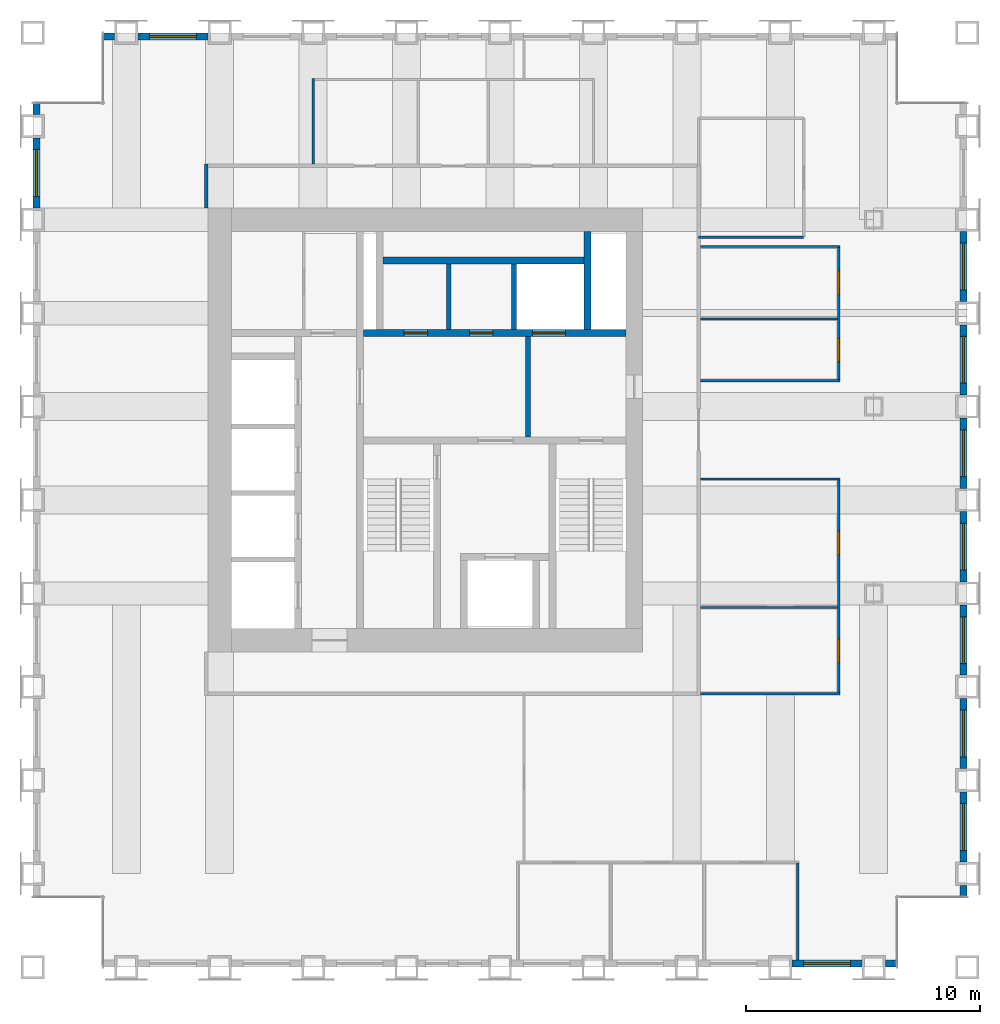
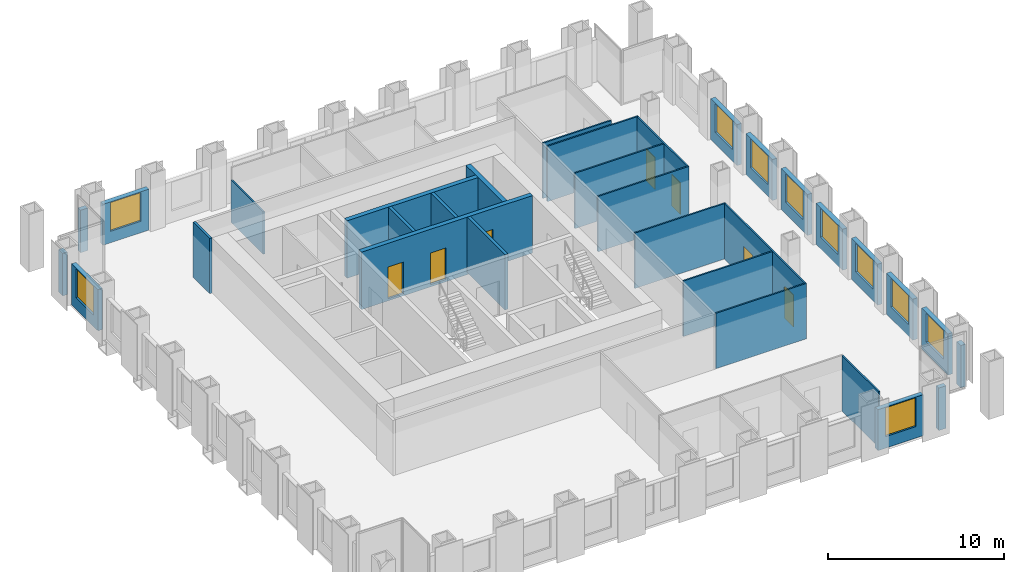
# One storey, part 9 of 11: 32 walls, 10 windows, 7 doors, 17 openings.
"""IFC4 building model written with IfcOpenShell, lengths in metres."""

from ifc_helpers import new_model, si_unit, direction, frame, frame_2d, origin, place, context, subcontext, project, spatial, rectangle, extrude, material, layer, layer_set, type_object, element, fill, save


model = new_model("IFC4")

# Units and contexts
model_context = context("Model", 3, precision=1e-05, world=origin(), true_north=direction((0.0, 1.0)))
body_context = subcontext(model_context, "Body", "Model", "MODEL_VIEW")
ifc_project = project(units=[si_unit("LENGTHUNIT", "METRE"), si_unit("AREAUNIT", "SQUARE_METRE"), si_unit("VOLUMEUNIT", "CUBIC_METRE"), si_unit("PLANEANGLEUNIT", "RADIAN"), si_unit("MASSUNIT", "GRAM", prefix="KILO")], contexts=[model_context])

# Site, building, storey
site_placement = place(None, origin())
site = spatial("IfcSite", under=ifc_project, at=site_placement, CompositionType="ELEMENT")
building_placement = place(site_placement, origin())
building = spatial("IfcBuilding", under=site, at=building_placement, Name="Rimbunsela Tower", CompositionType="ELEMENT")
storey_placement = place(building_placement, frame((0.0, 0.0, 242.199951171875)))
storey = spatial("IfcBuildingStorey", under=building, at=storey_placement, Name="L58", CompositionType="ELEMENT", Elevation=242.199951171875)

# Wall, openings, doors
ifc_material_1 = material(Name="Concrete fc' 80 MPa", Category="concrete")
ifc_layer_1 = layer(ifc_material_1, 0.300048828125)
ifc_layer_set_1 = layer_set([ifc_layer_1], Name="Core internal wall 300")
wall_type_1 = type_object("IfcWallType", Name="Core internal wall 300", PredefinedType="SHEAR", material=ifc_layer_set_1)
wall_1_placement = place(storey_placement, frame((24.14990234375, 31.14990234375, -0.14990234375), z_axis=(0.0, 0.0, 1.0), x_axis=(1.0, 0.0, 0.0)))
wall_1 = element("IfcWall", 1, at=wall_1_placement, inside=storey, type_object=wall_type_1, Name="Lift shaft front north", PredefinedType="SHEAR", context=body_context, shape_type="SweptSolid", body=[
    extrude(rectangle(XDim=11.25, YDim=0.300048828125, at=frame_2d((5.625, 0.0))), origin(), (0.0, 0.0, 1.0), 4.0),
])
opening_1_placement = place(wall_1_placement, frame((1.75, 0.0, 0.14990234375)))
opening_1 = element("IfcOpeningElement", 2, at=opening_1_placement, cuts=wall_1, Name="Opening D19", PredefinedType="OPENING", context=body_context, shape_type="SweptSolid", body=[
    extrude(rectangle(XDim=1.0, YDim=2.199951171875, at=frame_2d((0.5, 1.10009765625))), frame((0.0, 0.159912109375, 0.0), z_axis=(0.0, -1.0, 0.0), x_axis=(1.0, 0.0, 0.0)), (0.0, 0.0, 1.0), 0.320068359375),
])
opening_2_placement = place(wall_1_placement, frame((4.550048828125, 0.0, 0.14990234375)))
opening_2 = element("IfcOpeningElement", 3, at=opening_2_placement, cuts=wall_1, Name="Opening D19", PredefinedType="OPENING", context=body_context, shape_type="SweptSolid", body=[
    extrude(rectangle(XDim=1.0, YDim=2.199951171875, at=frame_2d((0.5, 1.10009765625))), frame((0.0, 0.159912109375, 0.0), z_axis=(0.0, -1.0, 0.0), x_axis=(1.0, 0.0, 0.0)), (0.0, 0.0, 1.0), 0.320068359375),
])
opening_3_placement = place(wall_1_placement, frame((7.25, 0.0, 0.14990234375)))
opening_3 = element("IfcOpeningElement", 4, at=opening_3_placement, cuts=wall_1, Name="Opening LD3", PredefinedType="OPENING", context=body_context, shape_type="SweptSolid", body=[
    extrude(rectangle(XDim=1.39990234375, YDim=2.39990234375, at=frame_2d((0.699951171875, 1.199951171875))), frame((0.0, 0.159912109375, 0.0), z_axis=(0.0, -1.0, 0.0), x_axis=(1.0, 0.0, 0.0)), (0.0, 0.0, 1.0), 0.320068359375),
])
ifc_material_2 = material(Name="Steel door, fire rated", Category="steel")
door_type_1 = type_object("IfcDoorType", Name="Lift landing door 1400", OperationType="DOUBLE_DOOR_SLIDING", PredefinedType="DOOR", material=ifc_material_2)
door_1_placement = place(opening_3_placement, origin())
door_1 = element("IfcDoor", 5, at=door_1_placement, inside=storey, type_object=door_type_1, Name="Lift landing door FL2", OperationType="DOUBLE_DOOR_SLIDING", OverallHeight=2.39990234375, OverallWidth=1.39990234375, PredefinedType="DOOR", context=body_context, shape_type="SweptSolid", body=[
    extrude(rectangle(XDim=1.39990234375, YDim=2.39990234375, at=frame_2d((0.699951171875, 1.199951171875))), frame((0.0, 0.02490234375, 0.0), z_axis=(0.0, -1.0, 0.0), x_axis=(1.0, 0.0, 0.0)), (0.0, 0.0, 1.0), 0.050048828125),
])
fill(opening_3, door_1)
ifc_material_3 = material(Name="Steel door, fire rated", Category="steel")
door_type_2 = type_object("IfcDoorType", Name="Service door 1000 fire rated", OperationType="SINGLE_SWING_LEFT", PredefinedType="DOOR", material=ifc_material_3)
door_2_placement = place(opening_1_placement, origin())
door_2 = element("IfcDoor", 6, at=door_2_placement, inside=storey, type_object=door_type_2, Name="Staff WC door", OperationType="SINGLE_SWING_LEFT", OverallHeight=2.199951171875, OverallWidth=1.0, PredefinedType="DOOR", context=body_context, shape_type="SweptSolid", body=[
    extrude(rectangle(XDim=1.0, YDim=2.199951171875, at=frame_2d((0.5, 1.10009765625))), frame((0.0, 0.02490234375, 0.0), z_axis=(0.0, -1.0, 0.0), x_axis=(1.0, 0.0, 0.0)), (0.0, 0.0, 1.0), 0.050048828125),
])
fill(opening_1, door_2)
door_3_placement = place(opening_2_placement, origin())
door_3 = element("IfcDoor", 7, at=door_3_placement, inside=storey, type_object=door_type_2, Name="Cleaners store door", OperationType="SINGLE_SWING_LEFT", OverallHeight=2.199951171875, OverallWidth=1.0, PredefinedType="DOOR", context=body_context, shape_type="SweptSolid", body=[
    extrude(rectangle(XDim=1.0, YDim=2.199951171875, at=frame_2d((0.5, 1.10009765625))), frame((0.0, 0.02490234375, 0.0), z_axis=(0.0, -1.0, 0.0), x_axis=(1.0, 0.0, 0.0)), (0.0, 0.0, 1.0), 0.050048828125),
])
fill(opening_2, door_3)

# Walls
wall_2_placement = place(storey_placement, frame((33.75, 31.300048828125, -0.14990234375), z_axis=(0.0, 0.0, 1.0), x_axis=(0.0, 1.0, 0.0)))
element("IfcWall", 8, at=wall_2_placement, inside=storey, type_object=wall_type_1, Name="Riser wall", PredefinedType="SHEAR", context=body_context, shape_type="SweptSolid", body=[
    extrude(rectangle(XDim=4.199951171875, YDim=0.300048828125, at=frame_2d((2.10009765625, 0.0))), origin(), (0.0, 0.0, 1.0), 4.0),
])
wall_3_placement = place(storey_placement, frame((25.0, 34.25, -0.14990234375), z_axis=(0.0, 0.0, 1.0), x_axis=(1.0, 0.0, 0.0)))
element("IfcWall", 9, at=wall_3_placement, inside=storey, type_object=wall_type_1, Name="Lift shaft rear north", PredefinedType="SHEAR", context=body_context, shape_type="SweptSolid", body=[
    extrude(rectangle(XDim=8.60009765625, YDim=0.300048828125, at=frame_2d((4.300048828125, 0.0))), origin(), (0.0, 0.0, 1.0), 4.0),
])
ifc_material_4 = material(Name="Concrete blockwork", Category="masonry")
ifc_layer_2 = layer(ifc_material_4, 0.199951171875)
ifc_layer_set_2 = layer_set([ifc_layer_2], Name="Lift shaft wall 200")
wall_type_2 = type_object("IfcWallType", Name="Lift shaft wall 200", PredefinedType="SOLIDWALL", material=ifc_layer_set_2)
wall_4_placement = place(storey_placement, frame((27.800048828125, 31.300048828125, 0.0), z_axis=(0.0, 0.0, 1.0), x_axis=(0.0, 1.0, 0.0)))
element("IfcWall", 10, at=wall_4_placement, inside=storey, type_object=wall_type_2, Name="Lift shaft separation", PredefinedType="SOLIDWALL", context=body_context, shape_type="SweptSolid", body=[
    extrude(rectangle(XDim=2.800048828125, YDim=0.199951171875, at=frame_2d((1.39990234375, 0.0))), origin(), (0.0, 0.0, 1.0), 3.85009765625),
])
wall_5_placement = place(storey_placement, frame((30.60009765625, 31.300048828125, -0.14990234375), z_axis=(0.0, 0.0, 1.0), x_axis=(0.0, 1.0, 0.0)))
element("IfcWall", 11, at=wall_5_placement, inside=storey, type_object=wall_type_2, Name="Lift shaft separation", PredefinedType="SOLIDWALL", context=body_context, shape_type="SweptSolid", body=[
    extrude(rectangle(XDim=2.800048828125, YDim=0.199951171875, at=frame_2d((1.39990234375, 0.0))), origin(), (0.0, 0.0, 1.0), 4.0),
])
wall_6_placement = place(storey_placement, frame((31.199951171875, 26.699951171875, 0.0), z_axis=(0.0, 0.0, 1.0), x_axis=(0.0, 1.0, 0.0)))
element("IfcWall", 12, at=wall_6_placement, inside=storey, type_object=wall_type_2, Name="Firefighting lobby 2 wall", PredefinedType="SOLIDWALL", context=body_context, shape_type="SweptSolid", body=[
    extrude(rectangle(XDim=4.300048828125, YDim=0.199951171875, at=frame_2d((2.14990234375, 0.0))), origin(), (0.0, 0.0, 1.0), 3.85009765625),
])
ifc_material_5 = material(Name="Gypsum board on steel studs", Category="steel")
ifc_layer_3 = layer(ifc_material_5, 0.10009765625)
ifc_layer_set_3 = layer_set([ifc_layer_3], Name="Office partition 100")
wall_type_3 = type_object("IfcWallType", Name="Office partition 100", PredefinedType="PARTITIONING", material=ifc_layer_set_3)
wall_7_placement = place(storey_placement, frame((38.574951171875, 15.699951171875, 0.0), z_axis=(0.0, 0.0, 1.0), x_axis=(1.0, 0.0, 0.0)))
element("IfcWall", 13, at=wall_7_placement, inside=storey, type_object=wall_type_3, Name="Office partition", PredefinedType="PARTITIONING", context=body_context, shape_type="SweptSolid", body=[
    extrude(rectangle(XDim=5.97509765625, YDim=0.10009765625, at=frame_2d((2.987548828125, 0.0))), origin(), (0.0, 0.0, 1.0), 3.85009765625),
])
wall_8_placement = place(storey_placement, frame((38.574951171875, 19.39990234375, 0.0), z_axis=(0.0, 0.0, 1.0), x_axis=(1.0, 0.0, 0.0)))
element("IfcWall", 14, at=wall_8_placement, inside=storey, type_object=wall_type_3, Name="Office partition", PredefinedType="PARTITIONING", context=body_context, shape_type="SweptSolid", body=[
    extrude(rectangle(XDim=5.875, YDim=0.10009765625, at=frame_2d((2.9375, 0.0))), origin(), (0.0, 0.0, 1.0), 3.85009765625),
])
for number, where, z_axis, x_axis, name in (
    (15, (38.574951171875, 24.89990234375, 0.0), (0.0, 0.0, 1.0), (1.0, 0.0, 0.0), "Office partition"),
    (16, (38.574951171875, 29.10009765625, 0.0), (0.0, 0.0, 1.0), (1.0, 0.0, 0.0), "Office partition"),
):
    element("IfcWall", number, at=place(storey_placement, frame(where, z_axis=z_axis, x_axis=x_axis)), inside=storey, type_object=wall_type_3, Name=name, PredefinedType="PARTITIONING", context=body_context, shape_type="SweptSolid", body=[
        extrude(rectangle(XDim=5.97509765625, YDim=0.10009765625, at=frame_2d((2.987548828125, 0.0))), origin(), (0.0, 0.0, 1.0), 3.85009765625),
    ])
wall_9_placement = place(storey_placement, frame((38.574951171875, 31.75, 0.0), z_axis=(0.0, 0.0, 1.0), x_axis=(1.0, 0.0, 0.0)))
element("IfcWall", 17, at=wall_9_placement, inside=storey, type_object=wall_type_3, Name="Office partition", PredefinedType="PARTITIONING", context=body_context, shape_type="SweptSolid", body=[
    extrude(rectangle(XDim=5.875, YDim=0.10009765625, at=frame_2d((2.9375, 0.0))), origin(), (0.0, 0.0, 1.0), 3.85009765625),
])
wall_10_placement = place(storey_placement, frame((38.574951171875, 34.85009765625, 0.0), z_axis=(0.0, 0.0, 1.0), x_axis=(1.0, 0.0, 0.0)))
element("IfcWall", 18, at=wall_10_placement, inside=storey, type_object=wall_type_3, Name="Office partition", PredefinedType="PARTITIONING", context=body_context, shape_type="SweptSolid", body=[
    extrude(rectangle(XDim=5.97509765625, YDim=0.10009765625, at=frame_2d((2.987548828125, 0.0))), origin(), (0.0, 0.0, 1.0), 3.85009765625),
])
wall_11_placement = place(storey_placement, frame((42.75, 4.300048828125, 0.0), z_axis=(0.0, 0.0, 1.0), x_axis=(0.0, 1.0, 0.0)))
element("IfcWall", 19, at=wall_11_placement, inside=storey, type_object=wall_type_3, Name="Office partition", PredefinedType="PARTITIONING", context=body_context, shape_type="SweptSolid", body=[
    extrude(rectangle(XDim=4.14990234375, YDim=0.10009765625, at=frame_2d((2.074951171875, 0.0))), origin(), (0.0, 0.0, 1.0), 3.85009765625),
])

# Wall, openings, doors
wall_12_placement = place(storey_placement, frame((44.5, 15.75, 0.0), z_axis=(0.0, 0.0, 1.0), x_axis=(0.0, 1.0, 0.0)))
wall_12 = element("IfcWall", 20, at=wall_12_placement, inside=storey, type_object=wall_type_3, Name="Office partition", PredefinedType="PARTITIONING", context=body_context, shape_type="SweptSolid", body=[
    extrude(rectangle(XDim=9.10009765625, YDim=0.10009765625, at=frame_2d((4.550048828125, 0.0))), origin(), (0.0, 0.0, 1.0), 3.85009765625),
])
opening_4_placement = place(wall_12_placement, frame((1.300048828125, 0.0, 0.0)))
opening_4 = element("IfcOpeningElement", 21, at=opening_4_placement, cuts=wall_12, Name="Opening D17", PredefinedType="OPENING", context=body_context, shape_type="SweptSolid", body=[
    extrude(rectangle(XDim=1.0, YDim=2.199951171875, at=frame_2d((0.5, 1.10009765625))), frame((0.0, 0.06005859375, 0.0), z_axis=(0.0, -1.0, 0.0), x_axis=(1.0, 0.0, 0.0)), (0.0, 0.0, 1.0), 0.1201171875),
])
opening_5_placement = place(wall_12_placement, frame((5.89990234375, 0.0, 0.0)))
opening_5 = element("IfcOpeningElement", 22, at=opening_5_placement, cuts=wall_12, Name="Opening D16", PredefinedType="OPENING", context=body_context, shape_type="SweptSolid", body=[
    extrude(rectangle(XDim=1.0, YDim=2.199951171875, at=frame_2d((0.5, 1.10009765625))), frame((0.0, 0.06005859375, 0.0), z_axis=(0.0, -1.0, 0.0), x_axis=(1.0, 0.0, 0.0)), (0.0, 0.0, 1.0), 0.1201171875),
])
ifc_material_6 = material(Name="Glazed aluminium door", Category="aluminium")
door_type_3 = type_object("IfcDoorType", Name="Meeting room door 1000 glazed", OperationType="SINGLE_SWING_RIGHT", PredefinedType="DOOR", material=ifc_material_6)
door_4_placement = place(opening_4_placement, origin())
door_4 = element("IfcDoor", 23, at=door_4_placement, inside=storey, type_object=door_type_3, Name="Meeting room door", OperationType="SINGLE_SWING_RIGHT", OverallHeight=2.199951171875, OverallWidth=1.0, PredefinedType="DOOR", context=body_context, shape_type="SweptSolid", body=[
    extrude(rectangle(XDim=1.0, YDim=2.199951171875, at=frame_2d((0.5, 1.10009765625))), frame((0.0, 0.02490234375, 0.0), z_axis=(0.0, -1.0, 0.0), x_axis=(1.0, 0.0, 0.0)), (0.0, 0.0, 1.0), 0.050048828125),
])
fill(opening_4, door_4)
ifc_material_7 = material(Name="Timber door", Category="wood")
door_type_4 = type_object("IfcDoorType", Name="Office door 1000", OperationType="SINGLE_SWING_LEFT", PredefinedType="DOOR", material=ifc_material_7)
door_5_placement = place(opening_5_placement, origin())
door_5 = element("IfcDoor", 24, at=door_5_placement, inside=storey, type_object=door_type_4, Name="Office door", OperationType="SINGLE_SWING_LEFT", OverallHeight=2.199951171875, OverallWidth=1.0, PredefinedType="DOOR", context=body_context, shape_type="SweptSolid", body=[
    extrude(rectangle(XDim=1.0, YDim=2.199951171875, at=frame_2d((0.5, 1.10009765625))), frame((0.0, 0.02490234375, 0.0), z_axis=(0.0, -1.0, 0.0), x_axis=(1.0, 0.0, 0.0)), (0.0, 0.0, 1.0), 0.050048828125),
])
fill(opening_5, door_5)

wall_13_placement = place(storey_placement, frame((44.5, 29.14990234375, 0.0), z_axis=(0.0, 0.0, 1.0), x_axis=(0.0, 1.0, 0.0)))
wall_13 = element("IfcWall", 25, at=wall_13_placement, inside=storey, type_object=wall_type_3, Name="Office partition", PredefinedType="PARTITIONING", context=body_context, shape_type="SweptSolid", body=[
    extrude(rectangle(XDim=5.650146484375, YDim=0.10009765625, at=frame_2d((2.8251953125, 0.0))), origin(), (0.0, 0.0, 1.0), 3.85009765625),
])
opening_6_placement = place(wall_13_placement, frame((0.77490234375, 0.0, 0.0)))
opening_6 = element("IfcOpeningElement", 26, at=opening_6_placement, cuts=wall_13, Name="Opening D16", PredefinedType="OPENING", context=body_context, shape_type="SweptSolid", body=[
    extrude(rectangle(XDim=1.0, YDim=2.199951171875, at=frame_2d((0.5, 1.10009765625))), frame((0.0, 0.06005859375, 0.0), z_axis=(0.0, -1.0, 0.0), x_axis=(1.0, 0.0, 0.0)), (0.0, 0.0, 1.0), 0.1201171875),
])
opening_7_placement = place(wall_13_placement, frame((3.64990234375, 0.0, 0.0)))
opening_7 = element("IfcOpeningElement", 27, at=opening_7_placement, cuts=wall_13, Name="Opening D16", PredefinedType="OPENING", context=body_context, shape_type="SweptSolid", body=[
    extrude(rectangle(XDim=1.0, YDim=2.199951171875, at=frame_2d((0.5, 1.10009765625))), frame((0.0, 0.06005859375, 0.0), z_axis=(0.0, -1.0, 0.0), x_axis=(1.0, 0.0, 0.0)), (0.0, 0.0, 1.0), 0.1201171875),
])
door_6_placement = place(opening_6_placement, origin())
door_6 = element("IfcDoor", 28, at=door_6_placement, inside=storey, type_object=door_type_4, Name="Office door", OperationType="SINGLE_SWING_LEFT", OverallHeight=2.199951171875, OverallWidth=1.0, PredefinedType="DOOR", context=body_context, shape_type="SweptSolid", body=[
    extrude(rectangle(XDim=1.0, YDim=2.199951171875, at=frame_2d((0.5, 1.10009765625))), frame((0.0, 0.02490234375, 0.0), z_axis=(0.0, -1.0, 0.0), x_axis=(1.0, 0.0, 0.0)), (0.0, 0.0, 1.0), 0.050048828125),
])
fill(opening_6, door_6)
door_7_placement = place(opening_7_placement, origin())
door_7 = element("IfcDoor", 29, at=door_7_placement, inside=storey, type_object=door_type_4, Name="Office door", OperationType="SINGLE_SWING_LEFT", OverallHeight=2.199951171875, OverallWidth=1.0, PredefinedType="DOOR", context=body_context, shape_type="SweptSolid", body=[
    extrude(rectangle(XDim=1.0, YDim=2.199951171875, at=frame_2d((0.5, 1.10009765625))), frame((0.0, 0.02490234375, 0.0), z_axis=(0.0, -1.0, 0.0), x_axis=(1.0, 0.0, 0.0)), (0.0, 0.0, 1.0), 0.050048828125),
])
fill(opening_7, door_7)

# Wall
wall_14_placement = place(storey_placement, frame((38.5, 35.25, 0.0), z_axis=(0.0, 0.0, 1.0), x_axis=(1.0, 0.0, 0.0)))
element("IfcWall", 30, at=wall_14_placement, inside=storey, type_object=wall_type_3, Name="Office partition", PredefinedType="PARTITIONING", context=body_context, shape_type="SweptSolid", body=[
    extrude(rectangle(XDim=4.5, YDim=0.10009765625, at=frame_2d((2.25, 0.0))), origin(), (0.0, 0.0, 1.0), 3.85009765625),
])

# Wall, opening, window
ifc_material_8 = material(Name="Precast concrete fc' 35 MPa", Category="concrete")
ifc_layer_4 = layer(ifc_material_8, 0.300048828125)
ifc_layer_set_4 = layer_set([ifc_layer_4], Name="Precast concrete fc' 35 MPa")
wall_type_4 = type_object("IfcWallType", Name="Precast facade panel 300", PredefinedType="ELEMENTEDWALL", material=ifc_layer_set_4)
wall_15_placement = place(storey_placement, frame((42.5, 4.14990234375, 0.0), z_axis=(0.0, 0.0, 1.0), x_axis=(1.0, 0.0, 0.0)))
wall_15 = element("IfcWall", 31, at=wall_15_placement, inside=storey, type_object=wall_type_4, Name="Facade panel S L58", PredefinedType="ELEMENTEDWALL", context=body_context, shape_type="SweptSolid", body=[
    extrude(rectangle(XDim=3.0, YDim=0.300048828125, at=frame_2d((1.5, 0.0))), origin(), (0.0, 0.0, 1.0), 2.85009765625),
])
opening_8_placement = place(wall_15_placement, frame((0.5, 0.0, 0.800048828125)))
opening_8 = element("IfcOpeningElement", 32, at=opening_8_placement, cuts=wall_15, Name="Opening W1", PredefinedType="OPENING", context=body_context, shape_type="SweptSolid", body=[
    extrude(rectangle(XDim=2.0, YDim=2.0, at=frame_2d((1.0, 1.0))), frame((0.0, 0.159912109375, 0.0), z_axis=(0.0, -1.0, 0.0), x_axis=(1.0, 0.0, 0.0)), (0.0, 0.0, 1.0), 0.320068359375),
])
ifc_material_9 = material(Name="Clear glass in aluminium frame", Category="aluminium")
window_type = type_object("IfcWindowType", Name="Window W1 2000x2000", PartitioningType="DOUBLE_PANEL_VERTICAL", PredefinedType="WINDOW", material=ifc_material_9)
window_1_placement = place(opening_8_placement, origin())
window_1 = element("IfcWindow", 33, at=window_1_placement, inside=storey, type_object=window_type, Name="Window L58", OverallHeight=2.0, OverallWidth=2.0, PartitioningType="SINGLE_PANEL", PredefinedType="WINDOW", context=body_context, shape_type="SweptSolid", body=[
    extrude(rectangle(XDim=2.0, YDim=2.0, at=frame_2d((1.0, 1.0))), frame((0.0, 0.030029296875, 0.0), z_axis=(0.0, -1.0, 0.0), x_axis=(1.0, 0.0, 0.0)), (0.0, 0.0, 1.0), 0.06005859375),
])
fill(opening_8, window_1)

# Walls
for number, where, z_axis, x_axis, name in (
    (34, (46.5, 4.14990234375, 0.0), (0.0, 0.0, 1.0), (1.0, 0.0, 0.0), "Facade panel S L58"),
    (35, (49.85009765625, 7.030029296875, 0.0), (0.0, 0.0, 1.0), (0.0, 1.0, 0.0), "Facade panel E L58"),
):
    element("IfcWall", number, at=place(storey_placement, frame(where, z_axis=z_axis, x_axis=x_axis)), inside=storey, type_object=wall_type_4, Name=name, PredefinedType="ELEMENTEDWALL", context=body_context, shape_type="SweptSolid", body=[
        extrude(rectangle(XDim=0.469970703125, YDim=0.300048828125, at=frame_2d((0.23486328125, 0.0))), origin(), (0.0, 0.0, 1.0), 2.949951171875),
    ])

# Wall, opening, window
wall_16_placement = place(storey_placement, frame((49.85009765625, 8.5, 0.0), z_axis=(0.0, 0.0, 1.0), x_axis=(0.0, 1.0, 0.0)))
wall_16 = element("IfcWall", 36, at=wall_16_placement, inside=storey, type_object=wall_type_4, Name="Facade panel E L58", PredefinedType="ELEMENTEDWALL", context=body_context, shape_type="SweptSolid", body=[
    extrude(rectangle(XDim=3.0, YDim=0.300048828125, at=frame_2d((1.5, 0.0))), origin(), (0.0, 0.0, 1.0), 2.85009765625),
])
opening_9_placement = place(wall_16_placement, frame((0.5, 0.0, 0.800048828125)))
opening_9 = element("IfcOpeningElement", 37, at=opening_9_placement, cuts=wall_16, Name="Opening W1", PredefinedType="OPENING", context=body_context, shape_type="SweptSolid", body=[
    extrude(rectangle(XDim=2.0, YDim=2.0, at=frame_2d((1.0, 1.0))), frame((0.0, 0.159912109375, 0.0), z_axis=(0.0, -1.0, 0.0), x_axis=(1.0, 0.0, 0.0)), (0.0, 0.0, 1.0), 0.320068359375),
])
window_2_placement = place(opening_9_placement, origin())
window_2 = element("IfcWindow", 38, at=window_2_placement, inside=storey, type_object=window_type, Name="Window L58", OverallHeight=2.0, OverallWidth=2.0, PartitioningType="SINGLE_PANEL", PredefinedType="WINDOW", context=body_context, shape_type="SweptSolid", body=[
    extrude(rectangle(XDim=2.0, YDim=2.0, at=frame_2d((1.0, 1.0))), frame((0.0, 0.030029296875, 0.0), z_axis=(0.0, -1.0, 0.0), x_axis=(1.0, 0.0, 0.0)), (0.0, 0.0, 1.0), 0.06005859375),
])
fill(opening_9, window_2)

wall_17_placement = place(storey_placement, frame((49.85009765625, 12.5, 0.0), z_axis=(0.0, 0.0, 1.0), x_axis=(0.0, 1.0, 0.0)))
wall_17 = element("IfcWall", 39, at=wall_17_placement, inside=storey, type_object=wall_type_4, Name="Facade panel E L58", PredefinedType="ELEMENTEDWALL", context=body_context, shape_type="SweptSolid", body=[
    extrude(rectangle(XDim=3.0, YDim=0.300048828125, at=frame_2d((1.5, 0.0))), origin(), (0.0, 0.0, 1.0), 2.85009765625),
])
opening_10_placement = place(wall_17_placement, frame((0.5, 0.0, 0.800048828125)))
opening_10 = element("IfcOpeningElement", 40, at=opening_10_placement, cuts=wall_17, Name="Opening W1", PredefinedType="OPENING", context=body_context, shape_type="SweptSolid", body=[
    extrude(rectangle(XDim=2.0, YDim=2.0, at=frame_2d((1.0, 1.0))), frame((0.0, 0.159912109375, 0.0), z_axis=(0.0, -1.0, 0.0), x_axis=(1.0, 0.0, 0.0)), (0.0, 0.0, 1.0), 0.320068359375),
])
window_3_placement = place(opening_10_placement, origin())
window_3 = element("IfcWindow", 41, at=window_3_placement, inside=storey, type_object=window_type, Name="Window L58", OverallHeight=2.0, OverallWidth=2.0, PartitioningType="SINGLE_PANEL", PredefinedType="WINDOW", context=body_context, shape_type="SweptSolid", body=[
    extrude(rectangle(XDim=2.0, YDim=2.0, at=frame_2d((1.0, 1.0))), frame((0.0, 0.030029296875, 0.0), z_axis=(0.0, -1.0, 0.0), x_axis=(1.0, 0.0, 0.0)), (0.0, 0.0, 1.0), 0.06005859375),
])
fill(opening_10, window_3)

wall_18_placement = place(storey_placement, frame((49.85009765625, 16.5, 0.0), z_axis=(0.0, 0.0, 1.0), x_axis=(0.0, 1.0, 0.0)))
wall_18 = element("IfcWall", 42, at=wall_18_placement, inside=storey, type_object=wall_type_4, Name="Facade panel E L58", PredefinedType="ELEMENTEDWALL", context=body_context, shape_type="SweptSolid", body=[
    extrude(rectangle(XDim=3.0, YDim=0.300048828125, at=frame_2d((1.5, 0.0))), origin(), (0.0, 0.0, 1.0), 2.85009765625),
])
opening_11_placement = place(wall_18_placement, frame((0.5, 0.0, 0.800048828125)))
opening_11 = element("IfcOpeningElement", 43, at=opening_11_placement, cuts=wall_18, Name="Opening W1", PredefinedType="OPENING", context=body_context, shape_type="SweptSolid", body=[
    extrude(rectangle(XDim=2.0, YDim=2.0, at=frame_2d((1.0, 1.0))), frame((0.0, 0.159912109375, 0.0), z_axis=(0.0, -1.0, 0.0), x_axis=(1.0, 0.0, 0.0)), (0.0, 0.0, 1.0), 0.320068359375),
])
window_4_placement = place(opening_11_placement, origin())
window_4 = element("IfcWindow", 44, at=window_4_placement, inside=storey, type_object=window_type, Name="Window L58", OverallHeight=2.0, OverallWidth=2.0, PartitioningType="SINGLE_PANEL", PredefinedType="WINDOW", context=body_context, shape_type="SweptSolid", body=[
    extrude(rectangle(XDim=2.0, YDim=2.0, at=frame_2d((1.0, 1.0))), frame((0.0, 0.030029296875, 0.0), z_axis=(0.0, -1.0, 0.0), x_axis=(1.0, 0.0, 0.0)), (0.0, 0.0, 1.0), 0.06005859375),
])
fill(opening_11, window_4)

wall_19_placement = place(storey_placement, frame((49.85009765625, 20.5, 0.0), z_axis=(0.0, 0.0, 1.0), x_axis=(0.0, 1.0, 0.0)))
wall_19 = element("IfcWall", 45, at=wall_19_placement, inside=storey, type_object=wall_type_4, Name="Facade panel E L58", PredefinedType="ELEMENTEDWALL", context=body_context, shape_type="SweptSolid", body=[
    extrude(rectangle(XDim=3.0, YDim=0.300048828125, at=frame_2d((1.5, 0.0))), origin(), (0.0, 0.0, 1.0), 2.85009765625),
])
opening_12_placement = place(wall_19_placement, frame((0.5, 0.0, 0.800048828125)))
opening_12 = element("IfcOpeningElement", 46, at=opening_12_placement, cuts=wall_19, Name="Opening W1", PredefinedType="OPENING", context=body_context, shape_type="SweptSolid", body=[
    extrude(rectangle(XDim=2.0, YDim=2.0, at=frame_2d((1.0, 1.0))), frame((0.0, 0.159912109375, 0.0), z_axis=(0.0, -1.0, 0.0), x_axis=(1.0, 0.0, 0.0)), (0.0, 0.0, 1.0), 0.320068359375),
])
window_5_placement = place(opening_12_placement, origin())
window_5 = element("IfcWindow", 47, at=window_5_placement, inside=storey, type_object=window_type, Name="Window L58", OverallHeight=2.0, OverallWidth=2.0, PartitioningType="SINGLE_PANEL", PredefinedType="WINDOW", context=body_context, shape_type="SweptSolid", body=[
    extrude(rectangle(XDim=2.0, YDim=2.0, at=frame_2d((1.0, 1.0))), frame((0.0, 0.030029296875, 0.0), z_axis=(0.0, -1.0, 0.0), x_axis=(1.0, 0.0, 0.0)), (0.0, 0.0, 1.0), 0.06005859375),
])
fill(opening_12, window_5)

wall_20_placement = place(storey_placement, frame((49.85009765625, 24.5, 0.0), z_axis=(0.0, 0.0, 1.0), x_axis=(0.0, 1.0, 0.0)))
wall_20 = element("IfcWall", 48, at=wall_20_placement, inside=storey, type_object=wall_type_4, Name="Facade panel E L58", PredefinedType="ELEMENTEDWALL", context=body_context, shape_type="SweptSolid", body=[
    extrude(rectangle(XDim=3.0, YDim=0.300048828125, at=frame_2d((1.5, 0.0))), origin(), (0.0, 0.0, 1.0), 2.85009765625),
])
opening_13_placement = place(wall_20_placement, frame((0.5, 0.0, 0.800048828125)))
opening_13 = element("IfcOpeningElement", 49, at=opening_13_placement, cuts=wall_20, Name="Opening W1", PredefinedType="OPENING", context=body_context, shape_type="SweptSolid", body=[
    extrude(rectangle(XDim=2.0, YDim=2.0, at=frame_2d((1.0, 1.0))), frame((0.0, 0.159912109375, 0.0), z_axis=(0.0, -1.0, 0.0), x_axis=(1.0, 0.0, 0.0)), (0.0, 0.0, 1.0), 0.320068359375),
])
window_6_placement = place(opening_13_placement, origin())
window_6 = element("IfcWindow", 50, at=window_6_placement, inside=storey, type_object=window_type, Name="Window L58", OverallHeight=2.0, OverallWidth=2.0, PartitioningType="SINGLE_PANEL", PredefinedType="WINDOW", context=body_context, shape_type="SweptSolid", body=[
    extrude(rectangle(XDim=2.0, YDim=2.0, at=frame_2d((1.0, 1.0))), frame((0.0, 0.030029296875, 0.0), z_axis=(0.0, -1.0, 0.0), x_axis=(1.0, 0.0, 0.0)), (0.0, 0.0, 1.0), 0.06005859375),
])
fill(opening_13, window_6)

wall_21_placement = place(storey_placement, frame((49.85009765625, 28.5, 0.0), z_axis=(0.0, 0.0, 1.0), x_axis=(0.0, 1.0, 0.0)))
wall_21 = element("IfcWall", 51, at=wall_21_placement, inside=storey, type_object=wall_type_4, Name="Facade panel E L58", PredefinedType="ELEMENTEDWALL", context=body_context, shape_type="SweptSolid", body=[
    extrude(rectangle(XDim=3.0, YDim=0.300048828125, at=frame_2d((1.5, 0.0))), origin(), (0.0, 0.0, 1.0), 2.85009765625),
])
opening_14_placement = place(wall_21_placement, frame((0.5, 0.0, 0.800048828125)))
opening_14 = element("IfcOpeningElement", 52, at=opening_14_placement, cuts=wall_21, Name="Opening W1", PredefinedType="OPENING", context=body_context, shape_type="SweptSolid", body=[
    extrude(rectangle(XDim=2.0, YDim=2.0, at=frame_2d((1.0, 1.0))), frame((0.0, 0.159912109375, 0.0), z_axis=(0.0, -1.0, 0.0), x_axis=(1.0, 0.0, 0.0)), (0.0, 0.0, 1.0), 0.320068359375),
])
window_7_placement = place(opening_14_placement, origin())
window_7 = element("IfcWindow", 53, at=window_7_placement, inside=storey, type_object=window_type, Name="Window L58", OverallHeight=2.0, OverallWidth=2.0, PartitioningType="SINGLE_PANEL", PredefinedType="WINDOW", context=body_context, shape_type="SweptSolid", body=[
    extrude(rectangle(XDim=2.0, YDim=2.0, at=frame_2d((1.0, 1.0))), frame((0.0, 0.030029296875, 0.0), z_axis=(0.0, -1.0, 0.0), x_axis=(1.0, 0.0, 0.0)), (0.0, 0.0, 1.0), 0.06005859375),
])
fill(opening_14, window_7)

wall_22_placement = place(storey_placement, frame((49.85009765625, 32.5, 0.0), z_axis=(0.0, 0.0, 1.0), x_axis=(0.0, 1.0, 0.0)))
wall_22 = element("IfcWall", 54, at=wall_22_placement, inside=storey, type_object=wall_type_4, Name="Facade panel E L58", PredefinedType="ELEMENTEDWALL", context=body_context, shape_type="SweptSolid", body=[
    extrude(rectangle(XDim=3.0, YDim=0.300048828125, at=frame_2d((1.5, 0.0))), origin(), (0.0, 0.0, 1.0), 2.85009765625),
])
opening_15_placement = place(wall_22_placement, frame((0.5, 0.0, 0.800048828125)))
opening_15 = element("IfcOpeningElement", 55, at=opening_15_placement, cuts=wall_22, Name="Opening W1", PredefinedType="OPENING", context=body_context, shape_type="SweptSolid", body=[
    extrude(rectangle(XDim=2.0, YDim=2.0, at=frame_2d((1.0, 1.0))), frame((0.0, 0.159912109375, 0.0), z_axis=(0.0, -1.0, 0.0), x_axis=(1.0, 0.0, 0.0)), (0.0, 0.0, 1.0), 0.320068359375),
])
window_8_placement = place(opening_15_placement, origin())
window_8 = element("IfcWindow", 56, at=window_8_placement, inside=storey, type_object=window_type, Name="Window L58", OverallHeight=2.0, OverallWidth=2.0, PartitioningType="SINGLE_PANEL", PredefinedType="WINDOW", context=body_context, shape_type="SweptSolid", body=[
    extrude(rectangle(XDim=2.0, YDim=2.0, at=frame_2d((1.0, 1.0))), frame((0.0, 0.030029296875, 0.0), z_axis=(0.0, -1.0, 0.0), x_axis=(1.0, 0.0, 0.0)), (0.0, 0.0, 1.0), 0.06005859375),
])
fill(opening_15, window_8)

# Wall
wall_23_placement = place(storey_placement, frame((13.5, 43.85009765625, 0.0), z_axis=(0.0, 0.0, 1.0), x_axis=(-1.0, 0.0, 0.0)))
element("IfcWall", 57, at=wall_23_placement, inside=storey, type_object=wall_type_4, Name="Facade panel N L58", PredefinedType="ELEMENTEDWALL", context=body_context, shape_type="SweptSolid", body=[
    extrude(rectangle(XDim=0.469970703125, YDim=0.300048828125, at=frame_2d((0.23486328125, 0.0))), origin(), (0.0, 0.0, 1.0), 2.949951171875),
])

# Wall, opening, window
wall_24_placement = place(storey_placement, frame((17.5, 43.85009765625, 0.0), z_axis=(0.0, 0.0, 1.0), x_axis=(-1.0, 0.0, 0.0)))
wall_24 = element("IfcWall", 58, at=wall_24_placement, inside=storey, type_object=wall_type_4, Name="Facade panel N L58", PredefinedType="ELEMENTEDWALL", context=body_context, shape_type="SweptSolid", body=[
    extrude(rectangle(XDim=3.0, YDim=0.300048828125, at=frame_2d((1.5, 0.0))), origin(), (0.0, 0.0, 1.0), 2.85009765625),
])
opening_16_placement = place(wall_24_placement, frame((0.5, 0.0, 0.800048828125)))
opening_16 = element("IfcOpeningElement", 59, at=opening_16_placement, cuts=wall_24, Name="Opening W1", PredefinedType="OPENING", context=body_context, shape_type="SweptSolid", body=[
    extrude(rectangle(XDim=2.0, YDim=2.0, at=frame_2d((1.0, 1.0))), frame((0.0, 0.159912109375, 0.0), z_axis=(0.0, -1.0, 0.0), x_axis=(1.0, 0.0, 0.0)), (0.0, 0.0, 1.0), 0.320068359375),
])
window_9_placement = place(opening_16_placement, origin())
window_9 = element("IfcWindow", 60, at=window_9_placement, inside=storey, type_object=window_type, Name="Window L58", OverallHeight=2.0, OverallWidth=2.0, PartitioningType="SINGLE_PANEL", PredefinedType="WINDOW", context=body_context, shape_type="SweptSolid", body=[
    extrude(rectangle(XDim=2.0, YDim=2.0, at=frame_2d((1.0, 1.0))), frame((0.0, 0.030029296875, 0.0), z_axis=(0.0, -1.0, 0.0), x_axis=(1.0, 0.0, 0.0)), (0.0, 0.0, 1.0), 0.06005859375),
])
fill(opening_16, window_9)

wall_25_placement = place(storey_placement, frame((10.14990234375, 39.5, 0.0), z_axis=(0.0, 0.0, 1.0), x_axis=(0.0, -1.0, 0.0)))
wall_25 = element("IfcWall", 61, at=wall_25_placement, inside=storey, type_object=wall_type_4, Name="Facade panel W L58", PredefinedType="ELEMENTEDWALL", context=body_context, shape_type="SweptSolid", body=[
    extrude(rectangle(XDim=3.0, YDim=0.300048828125, at=frame_2d((1.5, 0.0))), origin(), (0.0, 0.0, 1.0), 2.85009765625),
])
opening_17_placement = place(wall_25_placement, frame((0.5, 0.0, 0.800048828125)))
opening_17 = element("IfcOpeningElement", 62, at=opening_17_placement, cuts=wall_25, Name="Opening W1", PredefinedType="OPENING", context=body_context, shape_type="SweptSolid", body=[
    extrude(rectangle(XDim=2.0, YDim=2.0, at=frame_2d((1.0, 1.0))), frame((0.0, 0.159912109375, 0.0), z_axis=(0.0, -1.0, 0.0), x_axis=(1.0, 0.0, 0.0)), (0.0, 0.0, 1.0), 0.320068359375),
])
window_10_placement = place(opening_17_placement, origin())
window_10 = element("IfcWindow", 63, at=window_10_placement, inside=storey, type_object=window_type, Name="Window L58", OverallHeight=2.0, OverallWidth=2.0, PartitioningType="SINGLE_PANEL", PredefinedType="WINDOW", context=body_context, shape_type="SweptSolid", body=[
    extrude(rectangle(XDim=2.0, YDim=2.0, at=frame_2d((1.0, 1.0))), frame((0.0, 0.030029296875, 0.0), z_axis=(0.0, -1.0, 0.0), x_axis=(1.0, 0.0, 0.0)), (0.0, 0.0, 1.0), 0.06005859375),
])
fill(opening_17, window_10)

# Walls
wall_26_placement = place(storey_placement, frame((10.14990234375, 40.969970703125, 0.0), z_axis=(0.0, 0.0, 1.0), x_axis=(0.0, -1.0, 0.0)))
element("IfcWall", 64, at=wall_26_placement, inside=storey, type_object=wall_type_4, Name="Facade panel W L58", PredefinedType="ELEMENTEDWALL", context=body_context, shape_type="SweptSolid", body=[
    extrude(rectangle(XDim=0.469970703125, YDim=0.300048828125, at=frame_2d((0.23486328125, 0.0))), origin(), (0.0, 0.0, 1.0), 2.949951171875),
])
ifc_material_10 = material(Name="Fire-rated gypsum board on steel studs, EI 60", Category="steel")
ifc_layer_5 = layer(ifc_material_10, 0.14990234375)
ifc_layer_set_5 = layer_set([ifc_layer_5], Name="Rated corridor wall 150")
wall_type_5 = type_object("IfcWallType", Name="Rated corridor wall 150", PredefinedType="PARTITIONING", material=ifc_layer_set_5)
wall_27_placement = place(storey_placement, frame((17.425048828125, 36.5, 0.0), z_axis=(0.0, 0.0, 1.0), x_axis=(0.0, 1.0, 0.0)))
element("IfcWall", 65, at=wall_27_placement, inside=storey, type_object=wall_type_5, Name="Corridor end wall north", PredefinedType="PARTITIONING", context=body_context, shape_type="SweptSolid", body=[
    extrude(rectangle(XDim=1.875, YDim=0.14990234375, at=frame_2d((0.9375, 0.0))), origin(), (0.0, 0.0, 1.0), 3.85009765625),
])
ifc_material_11 = material(Name="Concrete blockwork", Category="masonry")
ifc_layer_6 = layer(ifc_material_11, 0.10009765625)
ifc_layer_set_6 = layer_set([ifc_layer_6], Name="Toilet partition 100")
wall_type_6 = type_object("IfcWallType", Name="Toilet partition 100", PredefinedType="PARTITIONING", material=ifc_layer_set_6)
wall_28_placement = place(storey_placement, frame((22.0, 38.375, 0.0), z_axis=(0.0, 0.0, 1.0), x_axis=(0.0, 1.0, 0.0)))
element("IfcWall", 66, at=wall_28_placement, inside=storey, type_object=wall_type_6, Name="Toilet block wall west", PredefinedType="PARTITIONING", context=body_context, shape_type="SweptSolid", body=[
    extrude(rectangle(XDim=3.675048828125, YDim=0.10009765625, at=frame_2d((1.83740234375, 0.0))), origin(), (0.0, 0.0, 1.0), 2.949951171875),
])

save(model, "model.ifc")
